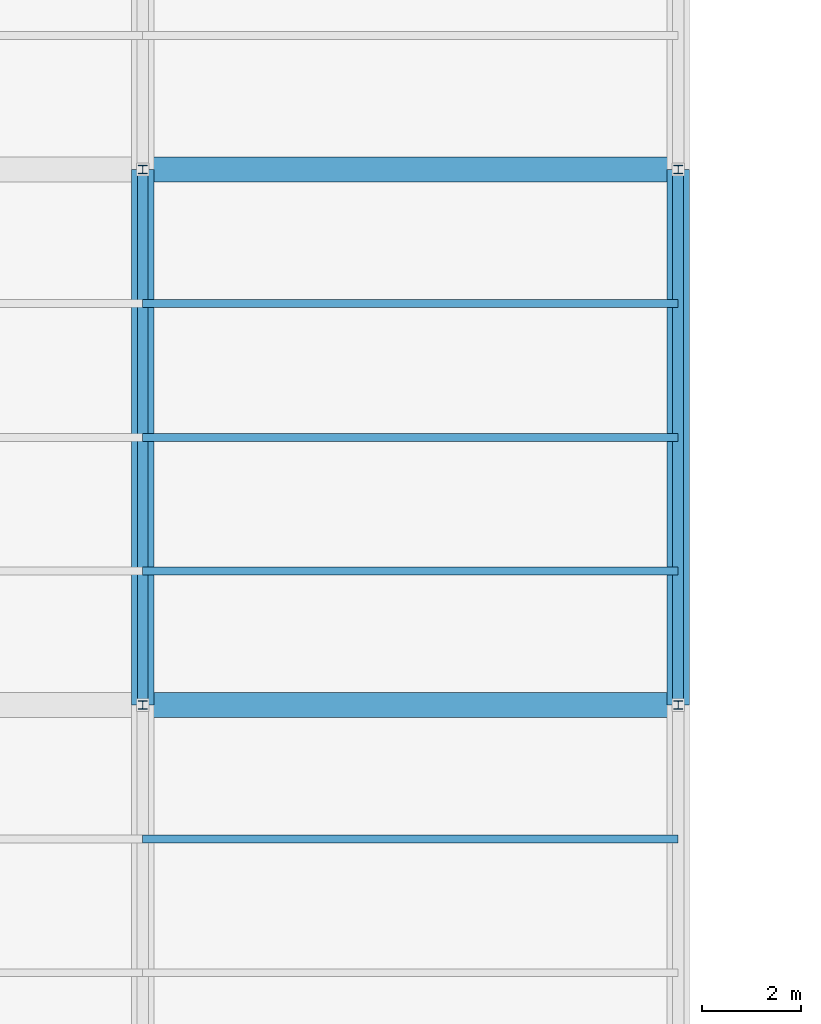
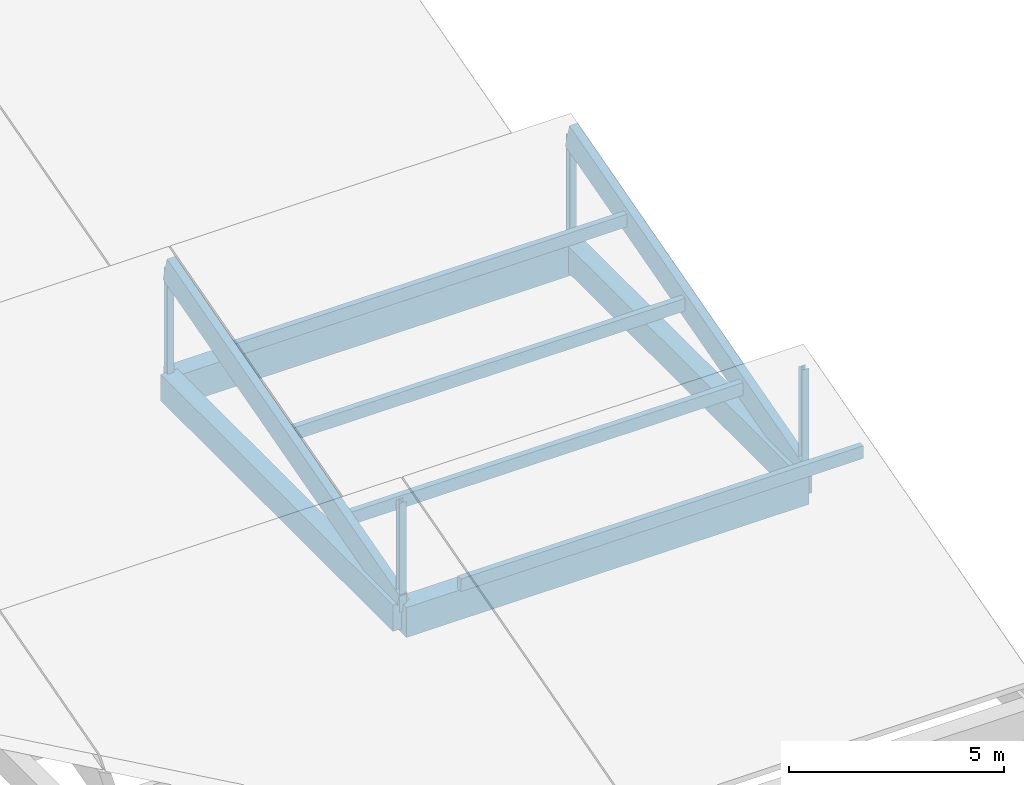
# One storey, part 7 of 112: 10 members, 4 beams.
"""IFC4 building model written with IfcOpenShell, lengths in metres."""

from ifc_helpers import new_model, si_unit, direction, frame, origin, origin_2d, place, context, subcontext, project, spatial, rectangle, i_section, extrude, material, material_profile, profile_set, type_object, element, save


model = new_model("IFC4")

# Units and contexts
model_context = context("Model", 3, precision=1e-05, world=origin(), true_north=direction((0.0, 1.0)))
body_context = subcontext(model_context, "Body", "Model", "MODEL_VIEW")
ifc_project = project(units=[si_unit("LENGTHUNIT", "METRE"), si_unit("AREAUNIT", "SQUARE_METRE"), si_unit("VOLUMEUNIT", "CUBIC_METRE"), si_unit("PLANEANGLEUNIT", "RADIAN"), si_unit("MASSUNIT", "GRAM", prefix="KILO")], contexts=[model_context])

# Site, building, storey
site_placement = place(None, origin())
site = spatial("IfcSite", under=ifc_project, at=site_placement, CompositionType="ELEMENT")
building_placement = place(site_placement, origin())
building = spatial("IfcBuilding", under=site, at=building_placement, Name="Zwinboog Wholesale Market", CompositionType="ELEMENT")
storey_placement = place(building_placement, frame((0.0, 0.0, 19.080078125)))
storey = spatial("IfcBuildingStorey", under=building, at=storey_placement, Name="Roof", CompositionType="ELEMENT", Elevation=19.080078125)

# Beams
ifc_material_1 = material(Name="Precast concrete C45/55", Category="concrete")
ifc_material_profile_1 = material_profile(ifc_material_1, rectangle(XDim=0.5, YDim=0.85009765625, at=origin_2d()), Name="PC 500x850")
ifc_profile_set_1 = profile_set([ifc_material_profile_1], Name="Precast concrete C45/55")
beam_type_1 = type_object("IfcBeamType", Name="BT-03", PredefinedType="BEAM", material=ifc_profile_set_1)
for number, where, z_axis, x_axis, name in (
    (1, (32.39990234375, 10.800048828125, -9.425048828125), (1.0, 0.0, 0.0), (0.0, 1.0, 0.0), "BG-03 (BMG-Roof-0324-0108-1154)"),
    (2, (32.39990234375, 21.60009765625, -9.425048828125), (1.0, 0.0, 0.0), (0.0, 1.0, 0.0), "BG-03 (BMG-Roof-0324-0216-1158)"),
):
    element("IfcBeam", number, at=place(storey_placement, frame(where, z_axis=z_axis, x_axis=x_axis)), inside=storey, type_object=beam_type_1, Name=name, PredefinedType="BEAM", context=body_context, shape_type="SweptSolid", body=[
        extrude(rectangle(XDim=0.5, YDim=0.85009765625, at=origin_2d()), origin(), (0.0, 0.0, 1.0), 10.800048828125),
    ])
ifc_material_profile_2 = material_profile(ifc_material_1, rectangle(XDim=0.449951171875, YDim=0.75, at=origin_2d()), Name="PC 450x750")
ifc_profile_set_2 = profile_set([ifc_material_profile_2], Name="Precast concrete C45/55")
beam_type_2 = type_object("IfcBeamType", Name="BT-04", PredefinedType="BEAM", material=ifc_profile_set_2)
for number, where, z_axis, x_axis, name in (
    (3, (32.39990234375, 10.800048828125, -9.375), (0.0, 1.0, 0.0), (-1.0, 0.0, 0.0), "BG-04 (BMG-Roof-0324-0108-1232)"),
    (4, (43.199951171875, 10.800048828125, -9.375), (0.0, 1.0, 0.0), (-1.0, 0.0, 0.0), "BG-04 (BMG-Roof-0432-0108-1242)"),
):
    element("IfcBeam", number, at=place(storey_placement, frame(where, z_axis=z_axis, x_axis=x_axis)), inside=storey, type_object=beam_type_2, Name=name, PredefinedType="BEAM", context=body_context, shape_type="SweptSolid", body=[
        extrude(rectangle(XDim=0.449951171875, YDim=0.75, at=origin_2d()), origin(), (0.0, 0.0, 1.0), 10.800048828125),
    ])

# Members
ifc_material_2 = material(Name="Steel S355", Category="steel")
ifc_material_profile_3 = material_profile(ifc_material_2, i_section(OverallWidth=0.179931640625, OverallDepth=0.1708984375, WebThickness=0.006103515625, FlangeThickness=0.009521484375, FilletRadius=0.014892578125, at=origin_2d()), Name="HEA 180")
ifc_profile_set_3 = profile_set([ifc_material_profile_3], Name="Steel S355")
member_type_1 = type_object("IfcMemberType", Name="MT-07", PredefinedType="BRACE", material=ifc_profile_set_3)
for number, where, z_axis, x_axis, name in (
    (5, (32.39990234375, 10.800048828125, -9.2001953125), (0.0, 0.0, 1.0), (1.0, 0.0, 0.0), "DB-04 (MEM-Roof-0677)"),
    (6, (43.199951171875, 10.800048828125, -9.2001953125), (0.0, 0.0, 1.0), (1.0, 0.0, 0.0), "DB-04 (MEM-Roof-0680)"),
):
    element("IfcMember", number, at=place(storey_placement, frame(where, z_axis=z_axis, x_axis=x_axis)), inside=storey, type_object=member_type_1, Name=name, PredefinedType="BRACE", context=body_context, shape_type="SweptSolid", body=[
        extrude(i_section(OverallWidth=0.179931640625, OverallDepth=0.1708984375, WebThickness=0.006103515625, FlangeThickness=0.009521484375, FilletRadius=0.014892578125, at=origin_2d()), origin(), (0.0, 0.0, 1.0), 3.0869140625),
    ])
for number, where, z_axis, x_axis, name in (
    (7, (32.39990234375, 21.60009765625, -9.2001953125), (0.0, 0.0, 1.0), (1.0, 0.0, 0.0), "DB-04 (MEM-Roof-0696)"),
    (8, (43.199951171875, 21.60009765625, -9.2001953125), (0.0, 0.0, 1.0), (1.0, 0.0, 0.0), "DB-04 (MEM-Roof-0698)"),
):
    element("IfcMember", number, at=place(storey_placement, frame(where, z_axis=z_axis, x_axis=x_axis)), inside=storey, type_object=member_type_1, Name=name, PredefinedType="BRACE", context=body_context, shape_type="SweptSolid", body=[
        extrude(i_section(OverallWidth=0.179931640625, OverallDepth=0.1708984375, WebThickness=0.006103515625, FlangeThickness=0.009521484375, FilletRadius=0.014892578125, at=origin_2d()), origin(), (0.0, 0.0, 1.0), 3.14697265625),
    ])
ifc_material_3 = material(Name="Glulam GL28h", Category="wood")
ifc_material_profile_4 = material_profile(ifc_material_3, rectangle(XDim=0.219970703125, YDim=0.719970703125, at=origin_2d()), Name="GL28h 220x720")
ifc_profile_set_4 = profile_set([ifc_material_profile_4], Name="Glulam GL28h")
member_type_2 = type_object("IfcMemberType", Name="MT-10", PredefinedType="RAFTER", material=ifc_profile_set_4)
for number, where, z_axis, x_axis, name in (
    (9, (32.39990234375, 10.800048828125, -9.05322265625), (0.0, 0.963518221675, 0.26764274042), (-1.0, 0.0, 0.0), "GR-02 (MEM-Roof-0697)"),
    (10, (43.199951171875, 10.800048828125, -9.05322265625), (0.0, 0.963518221675, 0.26764274042), (-1.0, 0.0, 0.0), "GR-02 (MEM-Roof-0699)"),
):
    element("IfcMember", number, at=place(storey_placement, frame(where, z_axis=z_axis, x_axis=x_axis)), inside=storey, type_object=member_type_2, Name=name, PredefinedType="RAFTER", context=body_context, shape_type="SweptSolid", body=[
        extrude(rectangle(XDim=0.219970703125, YDim=0.719970703125, at=origin_2d()), origin(), (0.0, 0.0, 1.0), 11.208984375),
    ])
ifc_material_profile_5 = material_profile(ifc_material_3, rectangle(XDim=0.159912109375, YDim=0.360107421875, at=origin_2d()), Name="GL28h 160x360")
ifc_profile_set_5 = profile_set([ifc_material_profile_5], Name="Glulam GL28h")
member_type_3 = type_object("IfcMemberType", Name="MT-12", PredefinedType="PURLIN", material=ifc_profile_set_5)
for number, where, z_axis, x_axis, name in (
    (11, (32.39990234375, 8.10009765625, -6.833251953125), (1.0, 0.0, 0.0), (0.0, 1.0, 0.0), "GP-01 (MEM-Roof-0683)"),
    (12, (32.39990234375, 13.5, -8.273193359375), (1.0, 0.0, 0.0), (0.0, 1.0, 0.0), "GP-01 (MEM-Roof-0700)"),
    (13, (32.39990234375, 18.89990234375, -6.773193359375), (1.0, 0.0, 0.0), (0.0, 1.0, 0.0), "GP-01 (MEM-Roof-0701)"),
    (14, (32.39990234375, 16.199951171875, -7.523193359375), (1.0, 0.0, 0.0), (0.0, 1.0, 0.0), "GP-01 (MEM-PRL-Roof-0008)"),
):
    element("IfcMember", number, at=place(storey_placement, frame(where, z_axis=z_axis, x_axis=x_axis)), inside=storey, type_object=member_type_3, Name=name, PredefinedType="PURLIN", context=body_context, shape_type="SweptSolid", body=[
        extrude(rectangle(XDim=0.159912109375, YDim=0.360107421875, at=origin_2d()), origin(), (0.0, 0.0, 1.0), 10.800048828125),
    ])

save(model, "model.ifc")
